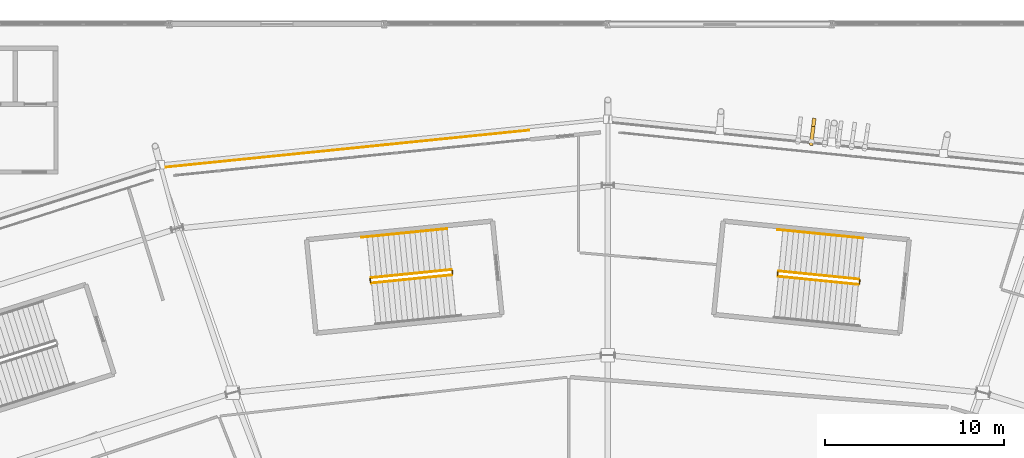
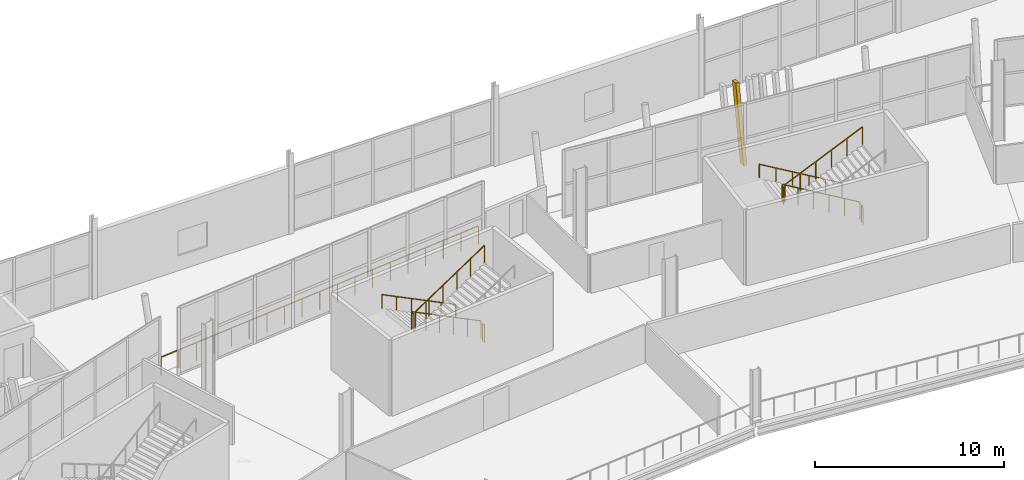
# One storey, part 165 of 168: 11 railings, 1 shading device.
"""IFC4 building model written with IfcOpenShell, lengths in metres."""

from ifc_helpers import new_model, si_unit, direction, frame, origin, origin_2d, place, context, subcontext, project, spatial, rectangle, extrude, material, material_profile, profile_set, type_object, element, save


model = new_model("IFC4")

# Units and contexts
model_context = context("Model", 3, precision=1e-05, world=origin(), true_north=direction((0.0, 1.0)))
body_context = subcontext(model_context, "Body", "Model", "MODEL_VIEW")
ifc_project = project(units=[si_unit("LENGTHUNIT", "METRE"), si_unit("AREAUNIT", "SQUARE_METRE"), si_unit("VOLUMEUNIT", "CUBIC_METRE"), si_unit("PLANEANGLEUNIT", "RADIAN"), si_unit("MASSUNIT", "GRAM", prefix="KILO")], contexts=[model_context])

# Site, building, storey
site_placement = place(None, origin())
site = spatial("IfcSite", under=ifc_project, at=site_placement, CompositionType="ELEMENT")
building_placement = place(site_placement, origin())
building = spatial("IfcBuilding", under=site, at=building_placement, Name="Zlatoyarsky Gate Stadium", CompositionType="ELEMENT")
storey_placement = place(building_placement, frame((0.0, 0.0, 15.60009765625)))
storey = spatial("IfcBuildingStorey", under=building, at=storey_placement, Name="L03", CompositionType="ELEMENT", Elevation=15.60009765625)

# Railings
ifc_material_1 = material(Name="Powder-coated steel tubular guardrail", Category="steel")
railing_type_1 = type_object("IfcRailingType", Name="CONCOURSE SLAB EDGE GUARDRAIL 1200", PredefinedType="GUARDRAIL", material=ifc_material_1)
railing_1_placement = place(storey_placement, frame((106.57275390625, 154.072265625, 0.0)))
element("IfcRailing", 1, at=railing_1_placement, inside=storey, type_object=railing_type_1, Name="L03 outer slab edge guardrail 06", PredefinedType="GUARDRAIL", context=body_context, shape_type="SweptSolid", body=[
    extrude(rectangle(XDim=0.048095703125, YDim=0.048095703125, at=origin_2d()), frame((0.0, 0.0, 1.17578125), z_axis=(-0.994873352041, -0.101128697209, 0.0), x_axis=(0.101128697209, -0.994873352041, 0.0)), (0.0, 0.0, 1.0), 20.660400390625),
    extrude(rectangle(XDim=0.0419921875, YDim=0.0419921875, at=origin_2d()), origin(), (0.0, 0.0, 1.0), 1.15185546875),
    extrude(rectangle(XDim=0.0419921875, YDim=0.0419921875, at=origin_2d()), frame((-1.141845703125, -0.115966796875, 0.0)), (0.0, 0.0, 1.0), 1.15185546875),
    extrude(rectangle(XDim=0.0419921875, YDim=0.0419921875, at=origin_2d()), frame((-2.283935546875, -0.232177734375, 0.0)), (0.0, 0.0, 1.0), 1.15185546875),
    extrude(rectangle(XDim=0.0419921875, YDim=0.0419921875, at=origin_2d()), frame((-3.42578125, -0.34814453125, 0.0)), (0.0, 0.0, 1.0), 1.15185546875),
    extrude(rectangle(XDim=0.0419921875, YDim=0.0419921875, at=origin_2d()), frame((-4.567626953125, -0.46435546875, 0.0)), (0.0, 0.0, 1.0), 1.15185546875),
    extrude(rectangle(XDim=0.0419921875, YDim=0.0419921875, at=origin_2d()), frame((-5.70947265625, -0.580322265625, 0.0)), (0.0, 0.0, 1.0), 1.15185546875),
    extrude(rectangle(XDim=0.0419921875, YDim=0.0419921875, at=origin_2d()), frame((-6.8515625, -0.696533203125, 0.0)), (0.0, 0.0, 1.0), 1.15185546875),
    extrude(rectangle(XDim=0.0419921875, YDim=0.0419921875, at=origin_2d()), frame((-7.993408203125, -0.8125, 0.0)), (0.0, 0.0, 1.0), 1.15185546875),
    extrude(rectangle(XDim=0.0419921875, YDim=0.0419921875, at=origin_2d()), frame((-9.13525390625, -0.9287109375, 0.0)), (0.0, 0.0, 1.0), 1.15185546875),
    extrude(rectangle(XDim=0.0419921875, YDim=0.0419921875, at=origin_2d()), frame((-10.27734375, -1.044677734375, 0.0)), (0.0, 0.0, 1.0), 1.15185546875),
    extrude(rectangle(XDim=0.0419921875, YDim=0.0419921875, at=origin_2d()), frame((-11.419189453125, -1.16064453125, 0.0)), (0.0, 0.0, 1.0), 1.15185546875),
    extrude(rectangle(XDim=0.0419921875, YDim=0.0419921875, at=origin_2d()), frame((-12.56103515625, -1.27685546875, 0.0)), (0.0, 0.0, 1.0), 1.15185546875),
    extrude(rectangle(XDim=0.0419921875, YDim=0.0419921875, at=origin_2d()), frame((-13.702880859375, -1.392822265625, 0.0)), (0.0, 0.0, 1.0), 1.15185546875),
    extrude(rectangle(XDim=0.0419921875, YDim=0.0419921875, at=origin_2d()), frame((-14.844970703125, -1.509033203125, 0.0)), (0.0, 0.0, 1.0), 1.15185546875),
    extrude(rectangle(XDim=0.0419921875, YDim=0.0419921875, at=origin_2d()), frame((-15.98681640625, -1.625, 0.0)), (0.0, 0.0, 1.0), 1.15185546875),
    extrude(rectangle(XDim=0.0419921875, YDim=0.0419921875, at=origin_2d()), frame((-17.128662109375, -1.7412109375, 0.0)), (0.0, 0.0, 1.0), 1.15185546875),
    extrude(rectangle(XDim=0.0419921875, YDim=0.0419921875, at=origin_2d()), frame((-18.2705078125, -1.857177734375, 0.0)), (0.0, 0.0, 1.0), 1.15185546875),
    extrude(rectangle(XDim=0.0419921875, YDim=0.0419921875, at=origin_2d()), frame((-19.41259765625, -1.973388671875, 0.0)), (0.0, 0.0, 1.0), 1.15185546875),
    extrude(rectangle(XDim=0.0419921875, YDim=0.0419921875, at=origin_2d()), frame((-20.554443359375, -2.08935546875, 0.0)), (0.0, 0.0, 1.0), 1.15185546875),
])
ifc_material_2 = material(Name="Powder-coated steel stair guardrail", Category="steel")
railing_type_2 = type_object("IfcRailingType", Name="PAINTED STEEL STAIR WELL GUARDRAIL 1150", PredefinedType="GUARDRAIL", material=ifc_material_2)
railing_2_placement = place(storey_placement, frame((102.239013671875, 146.282470703125, 0.162353515625)))
element("IfcRailing", 2, at=railing_2_placement, inside=storey, type_object=railing_type_2, Name="ST-04 L03 stair guard 1", PredefinedType="GUARDRAIL", context=body_context, shape_type="SweptSolid", body=[
    extrude(rectangle(XDim=0.048095703125, YDim=0.048095703125, at=origin_2d()), frame((0.0, 0.0, 1.1259765625), z_axis=(-0.874889575762, -0.087918292701, 0.47627576469), x_axis=(0.099987144365, -0.994988729063, 0.0)), (0.0, 0.0, 1.0), 5.117919921875),
    extrude(rectangle(XDim=0.0419921875, YDim=0.0419921875, at=origin_2d()), origin(), (0.0, 0.0, 1.0), 1.101806640625),
    extrude(rectangle(XDim=0.0419921875, YDim=0.0419921875, at=origin_2d()), frame((-0.8955078125, -0.090087890625, 0.487548828125)), (0.0, 0.0, 1.0), 1.101806640625),
    extrude(rectangle(XDim=0.0419921875, YDim=0.0419921875, at=origin_2d()), frame((-1.791015625, -0.179931640625, 0.97509765625)), (0.0, 0.0, 1.0), 1.101806640625),
    extrude(rectangle(XDim=0.0419921875, YDim=0.0419921875, at=origin_2d()), frame((-2.6865234375, -0.27001953125, 1.46240234375)), (0.0, 0.0, 1.0), 1.101806640625),
    extrude(rectangle(XDim=0.0419921875, YDim=0.0419921875, at=origin_2d()), frame((-3.58203125, -0.35986328125, 1.949951171875)), (0.0, 0.0, 1.0), 1.101806640625),
    extrude(rectangle(XDim=0.0419921875, YDim=0.0419921875, at=origin_2d()), frame((-4.4775390625, -0.449951171875, 2.4375)), (0.0, 0.0, 1.0), 1.101806640625),
])
railing_3_placement = place(storey_placement, frame((97.716796875, 145.77783203125, 2.599853515625)))
element("IfcRailing", 3, at=railing_3_placement, inside=storey, type_object=railing_type_2, Name="ST-04 L03 stair guard 2", PredefinedType="GUARDRAIL", context=body_context, shape_type="SweptSolid", body=[
    extrude(rectangle(XDim=0.048095703125, YDim=0.048095703125, at=origin_2d()), frame((0.0, 0.0, 1.1259765625), z_axis=(0.100108072026, -0.994976569531, 0.0), x_axis=(0.994976569531, 0.100108072026, 0.0)), (0.0, 0.0, 1.0), 0.199951171875),
    extrude(rectangle(XDim=0.0419921875, YDim=0.0419921875, at=origin_2d()), origin(), (0.0, 0.0, 1.0), 1.101806640625),
    extrude(rectangle(XDim=0.0419921875, YDim=0.0419921875, at=origin_2d()), frame((0.02001953125, -0.198974609375, 0.0)), (0.0, 0.0, 1.0), 1.101806640625),
])
railing_4_placement = place(storey_placement, frame((97.79150390625, 145.533935546875, 2.762451171875)))
element("IfcRailing", 4, at=railing_4_placement, inside=storey, type_object=railing_type_2, Name="ST-04 L03 stair guard 3", PredefinedType="GUARDRAIL", context=body_context, shape_type="SweptSolid", body=[
    extrude(rectangle(XDim=0.048095703125, YDim=0.048095703125, at=origin_2d()), frame((0.0, 0.0, 1.1259765625), z_axis=(0.874874714683, 0.087969298974, 0.476293644768), x_axis=(-0.100046254416, 0.994982787277, 0.0)), (0.0, 0.0, 1.0), 5.11767578125),
    extrude(rectangle(XDim=0.0419921875, YDim=0.0419921875, at=origin_2d()), origin(), (0.0, 0.0, 1.0), 1.101806640625),
    extrude(rectangle(XDim=0.0419921875, YDim=0.0419921875, at=origin_2d()), frame((0.8955078125, 0.090087890625, 0.487548828125)), (0.0, 0.0, 1.0), 1.101806640625),
    extrude(rectangle(XDim=0.0419921875, YDim=0.0419921875, at=origin_2d()), frame((1.791015625, 0.18017578125, 0.97509765625)), (0.0, 0.0, 1.0), 1.101806640625),
    extrude(rectangle(XDim=0.0419921875, YDim=0.0419921875, at=origin_2d()), frame((2.686279296875, 0.27001953125, 1.46240234375)), (0.0, 0.0, 1.0), 1.101806640625),
    extrude(rectangle(XDim=0.0419921875, YDim=0.0419921875, at=origin_2d()), frame((3.581787109375, 0.360107421875, 1.949951171875)), (0.0, 0.0, 1.0), 1.101806640625),
    extrude(rectangle(XDim=0.0419921875, YDim=0.0419921875, at=origin_2d()), frame((4.477294921875, 0.4501953125, 2.4375)), (0.0, 0.0, 1.0), 1.101806640625),
])
railing_5_placement = place(storey_placement, frame((102.293701171875, 146.23779296875, 0.0)))
element("IfcRailing", 5, at=railing_5_placement, inside=storey, type_object=railing_type_2, Name="ST-04 L03 stair guard 4", PredefinedType="GUARDRAIL", context=body_context, shape_type="SweptSolid", body=[
    extrude(rectangle(XDim=0.048095703125, YDim=0.048095703125, at=origin_2d()), frame((0.0, 0.0, 1.1259765625), z_axis=(0.100108072026, -0.994976569531, 0.0), x_axis=(0.994976569531, 0.100108072026, 0.0)), (0.0, 0.0, 1.0), 0.199951171875),
    extrude(rectangle(XDim=0.0419921875, YDim=0.0419921875, at=origin_2d()), origin(), (0.0, 0.0, 1.0), 1.101806640625),
    extrude(rectangle(XDim=0.0419921875, YDim=0.0419921875, at=origin_2d()), frame((0.02001953125, -0.198974609375, 0.0)), (0.0, 0.0, 1.0), 1.101806640625),
])
railing_6_placement = place(storey_placement, frame((125.03466796875, 145.752685546875, 0.162353515625)))
element("IfcRailing", 6, at=railing_6_placement, inside=storey, type_object=railing_type_2, Name="ST-17 L03 stair guard 1", PredefinedType="GUARDRAIL", context=body_context, shape_type="SweptSolid", body=[
    extrude(rectangle(XDim=0.048095703125, YDim=0.048095703125, at=origin_2d()), frame((0.0, 0.0, 1.1259765625), z_axis=(-0.874889575762, 0.087918292701, 0.47627576469), x_axis=(-0.099987144365, -0.994988729063, 0.0)), (0.0, 0.0, 1.0), 5.117919921875),
    extrude(rectangle(XDim=0.0419921875, YDim=0.0419921875, at=origin_2d()), origin(), (0.0, 0.0, 1.0), 1.101806640625),
    extrude(rectangle(XDim=0.0419921875, YDim=0.0419921875, at=origin_2d()), frame((-0.8955078125, 0.090087890625, 0.487548828125)), (0.0, 0.0, 1.0), 1.101806640625),
    extrude(rectangle(XDim=0.0419921875, YDim=0.0419921875, at=origin_2d()), frame((-1.791015625, 0.179931640625, 0.97509765625)), (0.0, 0.0, 1.0), 1.101806640625),
    extrude(rectangle(XDim=0.0419921875, YDim=0.0419921875, at=origin_2d()), frame((-2.6865234375, 0.27001953125, 1.46240234375)), (0.0, 0.0, 1.0), 1.101806640625),
    extrude(rectangle(XDim=0.0419921875, YDim=0.0419921875, at=origin_2d()), frame((-3.58203125, 0.35986328125, 1.949951171875)), (0.0, 0.0, 1.0), 1.101806640625),
    extrude(rectangle(XDim=0.0419921875, YDim=0.0419921875, at=origin_2d()), frame((-4.4775390625, 0.449951171875, 2.4375)), (0.0, 0.0, 1.0), 1.101806640625),
])
railing_7_placement = place(storey_placement, frame((120.50244140625, 146.157958984375, 2.599853515625)))
element("IfcRailing", 7, at=railing_7_placement, inside=storey, type_object=railing_type_2, Name="ST-17 L03 stair guard 2", PredefinedType="GUARDRAIL", context=body_context, shape_type="SweptSolid", body=[
    extrude(rectangle(XDim=0.048095703125, YDim=0.048095703125, at=origin_2d()), frame((0.0, 0.0, 1.1259765625), z_axis=(-0.100108072026, -0.994976569531, 0.0), x_axis=(0.994976569531, -0.100108072026, 0.0)), (0.0, 0.0, 1.0), 0.199951171875),
    extrude(rectangle(XDim=0.0419921875, YDim=0.0419921875, at=origin_2d()), origin(), (0.0, 0.0, 1.0), 1.101806640625),
    extrude(rectangle(XDim=0.0419921875, YDim=0.0419921875, at=origin_2d()), frame((-0.02001953125, -0.198974609375, 0.0)), (0.0, 0.0, 1.0), 1.101806640625),
])
railing_8_placement = place(storey_placement, frame((120.527099609375, 145.904052734375, 2.762451171875)))
element("IfcRailing", 8, at=railing_8_placement, inside=storey, type_object=railing_type_2, Name="ST-17 L03 stair guard 3", PredefinedType="GUARDRAIL", context=body_context, shape_type="SweptSolid", body=[
    extrude(rectangle(XDim=0.048095703125, YDim=0.048095703125, at=origin_2d()), frame((0.0, 0.0, 1.1259765625), z_axis=(0.874889575762, -0.087918292701, 0.47627576469), x_axis=(0.099987144365, 0.994988729063, 0.0)), (0.0, 0.0, 1.0), 5.117919921875),
    extrude(rectangle(XDim=0.0419921875, YDim=0.0419921875, at=origin_2d()), origin(), (0.0, 0.0, 1.0), 1.101806640625),
    extrude(rectangle(XDim=0.0419921875, YDim=0.0419921875, at=origin_2d()), frame((0.8955078125, -0.090087890625, 0.487548828125)), (0.0, 0.0, 1.0), 1.101806640625),
    extrude(rectangle(XDim=0.0419921875, YDim=0.0419921875, at=origin_2d()), frame((1.791015625, -0.179931640625, 0.97509765625)), (0.0, 0.0, 1.0), 1.101806640625),
    extrude(rectangle(XDim=0.0419921875, YDim=0.0419921875, at=origin_2d()), frame((2.6865234375, -0.27001953125, 1.46240234375)), (0.0, 0.0, 1.0), 1.101806640625),
    extrude(rectangle(XDim=0.0419921875, YDim=0.0419921875, at=origin_2d()), frame((3.58203125, -0.35986328125, 1.949951171875)), (0.0, 0.0, 1.0), 1.101806640625),
    extrude(rectangle(XDim=0.0419921875, YDim=0.0419921875, at=origin_2d()), frame((4.4775390625, -0.449951171875, 2.4375)), (0.0, 0.0, 1.0), 1.101806640625),
])
railing_9_placement = place(storey_placement, frame((125.079345703125, 145.69775390625, 0.0)))
element("IfcRailing", 9, at=railing_9_placement, inside=storey, type_object=railing_type_2, Name="ST-17 L03 stair guard 4", PredefinedType="GUARDRAIL", context=body_context, shape_type="SweptSolid", body=[
    extrude(rectangle(XDim=0.048095703125, YDim=0.048095703125, at=origin_2d()), frame((0.0, 0.0, 1.1259765625), z_axis=(-0.100108072026, -0.994976569531, 0.0), x_axis=(0.994976569531, -0.100108072026, 0.0)), (0.0, 0.0, 1.0), 0.199951171875),
    extrude(rectangle(XDim=0.0419921875, YDim=0.0419921875, at=origin_2d()), origin(), (0.0, 0.0, 1.0), 1.101806640625),
    extrude(rectangle(XDim=0.0419921875, YDim=0.0419921875, at=origin_2d()), frame((-0.02001953125, -0.198974609375, 0.0)), (0.0, 0.0, 1.0), 1.101806640625),
])

# Shading device
ifc_material_3 = material(Name="Precast concrete C40/50 stone-toned architectural rib", Category="masonry")
ifc_material_profile = material_profile(ifc_material_3, rectangle(XDim=0.199951171875, YDim=0.47998046875, at=origin_2d()), Name="RIB 200X480")
ifc_profile_set = profile_set([ifc_material_profile], Name="Precast concrete C40/50 stone-toned architectural rib")
shading_device_type = type_object("IfcShadingDeviceType", Name="PRECAST FLUTED GATE LOUVRE BLADE 200X480", PredefinedType="SHUTTER", material=ifc_profile_set)
shading_device_placement = place(storey_placement, frame((122.384521484375, 153.464599609375, -0.010009765625), z_axis=(0.026362780993, 0.219894204249, 0.975167443425), x_axis=(-0.992889931605, 0.119036060573, 0.0)))
element("IfcShadingDevice", 10, at=shading_device_placement, inside=storey, type_object=shading_device_type, Name="Leaning bowl louvre fin L03-05-5", PredefinedType="SHUTTER", context=body_context, shape_type="SweptSolid", body=[
    extrude(rectangle(XDim=0.199951171875, YDim=0.47998046875, at=origin_2d()), origin(), (0.0, 0.0, 1.0), 4.778564453125),
])

# Railings
ifc_material_4 = material(Name="Brushed stainless steel 316 handrail", Category="steel")
railing_type_3 = type_object("IfcRailingType", Name="STAINLESS STEEL TUBULAR HANDRAIL 900", PredefinedType="HANDRAIL", material=ifc_material_4)
railing_10_placement = place(storey_placement, frame((102.0087890625, 148.571044921875, 0.16650390625)))
element("IfcRailing", 11, at=railing_10_placement, inside=storey, type_object=railing_type_3, Name="ST-04 L03 stair handrail 1", PredefinedType="HANDRAIL", context=body_context, shape_type="SweptSolid", body=[
    extrude(rectangle(XDim=0.048095703125, YDim=0.048095703125, at=origin_2d()), frame((0.0, 0.0, 0.8759765625), z_axis=(-0.874893304719, -0.087927626883, 0.476267191594), x_axis=(0.099997231792, -0.994987715318, 0.0)), (0.0, 0.0, 1.0), 5.458740234375),
    extrude(rectangle(XDim=0.0419921875, YDim=0.0419921875, at=origin_2d()), origin(), (0.0, 0.0, 1.0), 0.851806640625),
    extrude(rectangle(XDim=0.0419921875, YDim=0.0419921875, at=origin_2d()), frame((-0.955078125, -0.095947265625, 0.52001953125)), (0.0, 0.0, 1.0), 0.851806640625),
    extrude(rectangle(XDim=0.0419921875, YDim=0.0419921875, at=origin_2d()), frame((-1.910400390625, -0.19189453125, 1.0400390625)), (0.0, 0.0, 1.0), 0.851806640625),
    extrude(rectangle(XDim=0.0419921875, YDim=0.0419921875, at=origin_2d()), frame((-2.865478515625, -0.2880859375, 1.559814453125)), (0.0, 0.0, 1.0), 0.851806640625),
    extrude(rectangle(XDim=0.0419921875, YDim=0.0419921875, at=origin_2d()), frame((-3.82080078125, -0.384033203125, 2.079833984375)), (0.0, 0.0, 1.0), 0.851806640625),
    extrude(rectangle(XDim=0.0419921875, YDim=0.0419921875, at=origin_2d()), frame((-4.77587890625, -0.47998046875, 2.599853515625)), (0.0, 0.0, 1.0), 0.851806640625),
])
railing_11_placement = place(storey_placement, frame((125.2646484375, 148.041015625, 0.16650390625)))
element("IfcRailing", 12, at=railing_11_placement, inside=storey, type_object=railing_type_3, Name="ST-17 L03 stair handrail 1", PredefinedType="HANDRAIL", context=body_context, shape_type="SweptSolid", body=[
    extrude(rectangle(XDim=0.048095703125, YDim=0.048095703125, at=origin_2d()), frame((0.0, 0.0, 0.8759765625), z_axis=(-0.87490379467, 0.087924186491, 0.47624855643), x_axis=(-0.099992171352, -0.994988223884, 0.0)), (0.0, 0.0, 1.0), 5.458984375),
    extrude(rectangle(XDim=0.0419921875, YDim=0.0419921875, at=origin_2d()), origin(), (0.0, 0.0, 1.0), 0.851806640625),
    extrude(rectangle(XDim=0.0419921875, YDim=0.0419921875, at=origin_2d()), frame((-0.955322265625, 0.095947265625, 0.52001953125)), (0.0, 0.0, 1.0), 0.851806640625),
    extrude(rectangle(XDim=0.0419921875, YDim=0.0419921875, at=origin_2d()), frame((-1.910400390625, 0.19189453125, 1.0400390625)), (0.0, 0.0, 1.0), 0.851806640625),
    extrude(rectangle(XDim=0.0419921875, YDim=0.0419921875, at=origin_2d()), frame((-2.86572265625, 0.2880859375, 1.559814453125)), (0.0, 0.0, 1.0), 0.851806640625),
    extrude(rectangle(XDim=0.0419921875, YDim=0.0419921875, at=origin_2d()), frame((-3.82080078125, 0.384033203125, 2.079833984375)), (0.0, 0.0, 1.0), 0.851806640625),
    extrude(rectangle(XDim=0.0419921875, YDim=0.0419921875, at=origin_2d()), frame((-4.776123046875, 0.47998046875, 2.599853515625)), (0.0, 0.0, 1.0), 0.851806640625),
])

save(model, "model.ifc")
